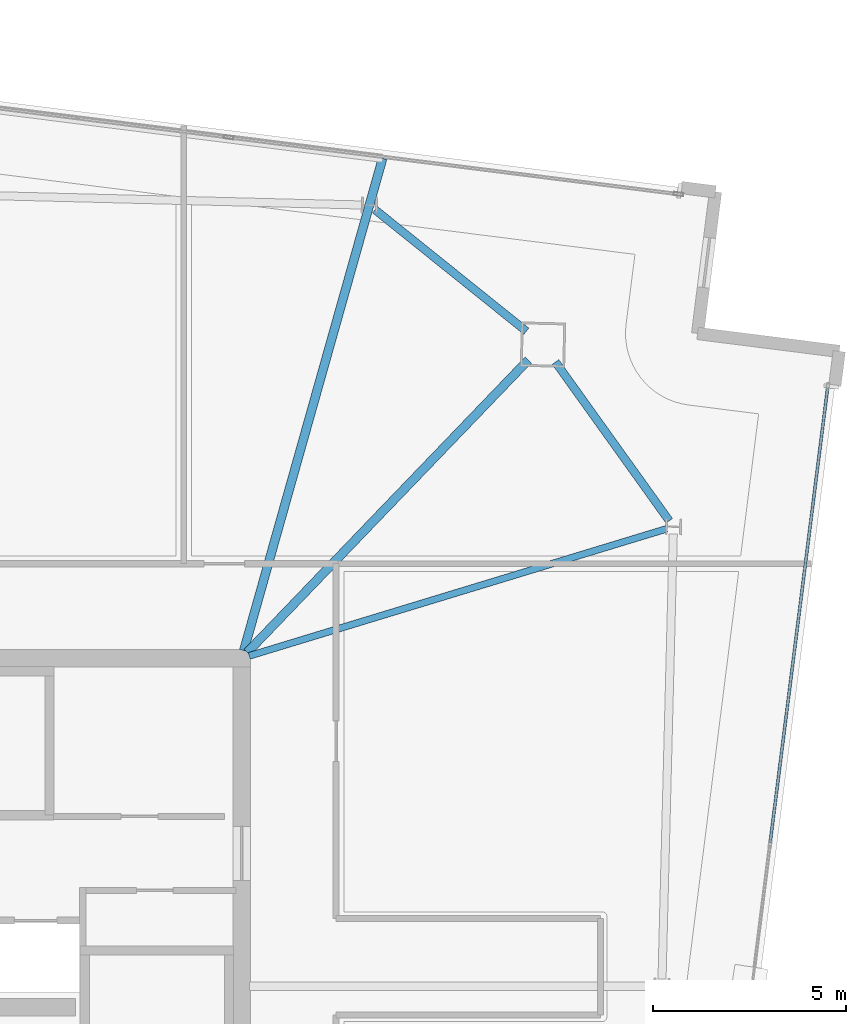
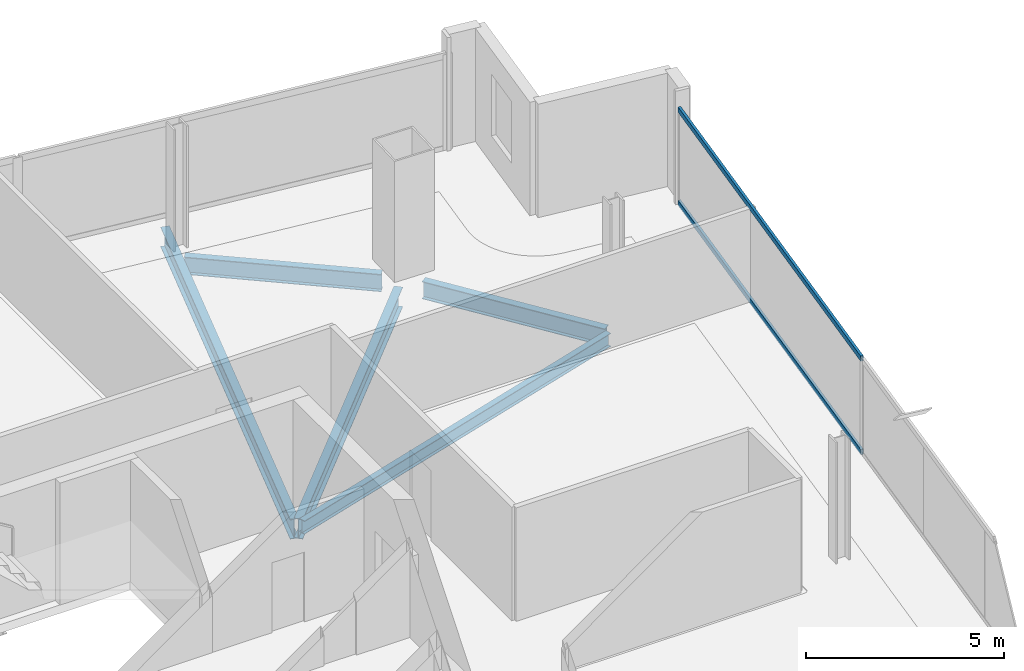
# One storey, part 15 of 23: 5 beams, 2 members, 1 element without a shape of its own.
"""IFC4 building model written with IfcOpenShell, lengths in metres."""

from ifc_helpers import new_model, si_unit, direction, frame, origin, origin_2d, place, context, subcontext, project, spatial, hollow_rectangle, i_section, extrude, material, material_profile, profile_set, type_object, element, aggregate, save


model = new_model("IFC4")

# Units and contexts
model_context = context("Model", 3, precision=1e-05, world=origin(), true_north=direction((0.0, 1.0)))
body_context = subcontext(model_context, "Body", "Model", "MODEL_VIEW")
ifc_project = project(units=[si_unit("LENGTHUNIT", "METRE"), si_unit("AREAUNIT", "SQUARE_METRE"), si_unit("VOLUMEUNIT", "CUBIC_METRE"), si_unit("PLANEANGLEUNIT", "RADIAN"), si_unit("MASSUNIT", "GRAM", prefix="KILO")], contexts=[model_context])

# Site, building, storey
site_placement = place(None, origin())
site = spatial("IfcSite", under=ifc_project, at=site_placement, CompositionType="ELEMENT")
building_placement = place(site_placement, origin())
building = spatial("IfcBuilding", under=site, at=building_placement, Name="Haldenkirk Collegiate Tower", CompositionType="ELEMENT")
storey_placement = place(building_placement, frame((0.0, 0.0, 306.449951171875)))
storey = spatial("IfcBuildingStorey", under=building, at=storey_placement, Name="L77", CompositionType="ELEMENT", Elevation=306.449951171875)

# Beams
ifc_material_1 = material(Name="Steel ASTM A992 Grade 50", Category="steel")
ifc_material_profile_1 = material_profile(ifc_material_1, i_section(OverallWidth=0.22998046875, OverallDepth=0.616943359375, WebThickness=0.01318359375, FlangeThickness=0.022216796875, at=origin_2d()), Name="W24X94")
ifc_profile_set_1 = profile_set([ifc_material_profile_1], Name="Steel ASTM A992 Grade 50")
beam_type_1 = type_object("IfcBeamType", Name="BM-GIRDER-W24X94", PredefinedType="BEAM", material=ifc_profile_set_1)
beam_1_placement = place(storey_placement, frame((52.428955078125, 41.7294921875, -0.568359375), z_axis=(-0.692944915375, -0.720990529935, 0.0), x_axis=(0.720990529935, -0.692944915375, 0.0)))
element("IfcBeam", 1, at=beam_1_placement, inside=storey, type_object=beam_type_1, Name="L77 primary floor girder 02", PredefinedType="BEAM", context=body_context, shape_type="SweptSolid", body=[
    extrude(i_section(OverallWidth=0.22998046875, OverallDepth=0.616943359375, WebThickness=0.01318359375, FlangeThickness=0.022216796875, at=origin_2d()), origin(), (0.0, 0.0, 1.0), 10.515869140625),
])
beam_2_placement = place(storey_placement, frame((48.654052734375, 46.959228515625, -0.568359375), z_axis=(-0.271380571332, -0.962472121936, 0.0), x_axis=(0.962472121936, -0.271380571332, 0.0)))
element("IfcBeam", 2, at=beam_2_placement, inside=storey, type_object=beam_type_1, Name="L77 primary floor girder 08", PredefinedType="BEAM", context=body_context, shape_type="SweptSolid", body=[
    extrude(i_section(OverallWidth=0.22998046875, OverallDepth=0.616943359375, WebThickness=0.01318359375, FlangeThickness=0.022216796875, at=origin_2d()), origin(), (0.0, 0.0, 1.0), 13.259521484375),
])
ifc_material_profile_2 = material_profile(ifc_material_1, i_section(OverallWidth=0.177978515625, OverallDepth=0.406005859375, WebThickness=0.0078125, FlangeThickness=0.0126953125, at=origin_2d()), Name="W16X40")
ifc_profile_set_2 = profile_set([ifc_material_profile_2], Name="Steel ASTM A992 Grade 50")
beam_type_2 = type_object("IfcBeamType", Name="BM-JOIST-W16X40", PredefinedType="JOIST", material=ifc_profile_set_2)
beam_3_placement = place(storey_placement, frame((56.015380859375, 37.353759765625, -0.462890625), z_axis=(-0.956646687175, -0.291250950071, 0.0), x_axis=(0.291250950071, -0.956646687175, 0.0)))
element("IfcBeam", 3, at=beam_3_placement, inside=storey, type_object=beam_type_2, Name="L77 composite floor joist 07", PredefinedType="JOIST", context=body_context, shape_type="SweptSolid", body=[
    extrude(i_section(OverallWidth=0.177978515625, OverallDepth=0.406005859375, WebThickness=0.0078125, FlangeThickness=0.0126953125, at=origin_2d()), origin(), (0.0, 0.0, 1.0), 11.3095703125),
])
ifc_material_profile_3 = material_profile(ifc_material_1, i_section(OverallWidth=0.2099609375, OverallDepth=0.537109375, WebThickness=0.010986328125, FlangeThickness=0.017333984375, at=origin_2d()), Name="W21X68")
ifc_profile_set_3 = profile_set([ifc_material_profile_3], Name="Steel ASTM A992 Grade 50")
beam_type_3 = type_object("IfcBeamType", Name="BM-SPANDREL-W21X68", PredefinedType="SPANDREL", material=ifc_profile_set_3)
beam_4_placement = place(storey_placement, frame((56.085693359375, 37.561279296875, -0.528564453125), z_axis=(-0.582300220922, 0.812973832737, 0.0), x_axis=(-0.812973832737, -0.582300220922, 0.0)))
element("IfcBeam", 4, at=beam_4_placement, inside=storey, type_object=beam_type_3, Name="L77 perimeter spandrel beam 04", PredefinedType="SPANDREL", context=body_context, shape_type="SweptSolid", body=[
    extrude(i_section(OverallWidth=0.2099609375, OverallDepth=0.537109375, WebThickness=0.010986328125, FlangeThickness=0.017333984375, at=origin_2d()), origin(), (0.0, 0.0, 1.0), 5.064453125),
])
beam_5_placement = place(storey_placement, frame((52.380859375, 42.477294921875, -0.528564453125), z_axis=(-0.779721728928, 0.626126205678, 0.0), x_axis=(-0.626126205678, -0.779721728928, 0.0)))
element("IfcBeam", 5, at=beam_5_placement, inside=storey, type_object=beam_type_3, Name="L77 perimeter spandrel beam 05", PredefinedType="SPANDREL", context=body_context, shape_type="SweptSolid", body=[
    extrude(i_section(OverallWidth=0.2099609375, OverallDepth=0.537109375, WebThickness=0.010986328125, FlangeThickness=0.017333984375, at=origin_2d()), origin(), (0.0, 0.0, 1.0), 5.03076171875),
])

# Curtain wall, members
ifc_material_2 = material(Name="Anodised architectural bronze aluminium", Category="aluminium")
curtain_wall_type = type_object("IfcCurtainWallType", Name="CW-SYS2-CONCAVE", PredefinedType="USERDEFINED", material=ifc_material_2)
curtain_wall_placement = place(storey_placement, origin())
curtain_wall = element("IfcCurtainWall", 6, at=curtain_wall_placement, inside=storey, type_object=curtain_wall_type, Name="L77 South concave recessed bronze-anodised curtain wall", ObjectType="UNITISED CURTAIN WALL", PredefinedType="USERDEFINED")
ifc_material_profile_4 = material_profile(ifc_material_2, hollow_rectangle(XDim=0.074951171875, YDim=0.159912109375, WallThickness=0.0048828125, at=origin_2d()), Name="CW-TRN-02")
ifc_profile_set_4 = profile_set([ifc_material_profile_4], Name="Anodised architectural bronze aluminium")
member_type = type_object("IfcMemberType", Name="CW-TRN-02", PredefinedType="USERDEFINED", material=ifc_profile_set_4)
member_1_placement = place(storey_placement, frame((60.192138671875, 41.01123046875, 0.03759765625), z_axis=(-0.125321240238, -0.99211621635, 0.0), x_axis=(0.99211621635, -0.125321240238, 0.0)))
member_1 = element("IfcMember", 7, at=member_1_placement, type_object=member_type, Name="CW-02 transom 1.1", ObjectType="TRANSOM", PredefinedType="USERDEFINED", context=body_context, shape_type="SweptSolid", body=[
    extrude(hollow_rectangle(XDim=0.074951171875, YDim=0.159912109375, WallThickness=0.0048828125, at=origin_2d()), origin(), (0.0, 0.0, 1.0), 11.887451171875),
])
member_2_placement = place(storey_placement, frame((60.192138671875, 41.01123046875, 2.91064453125), z_axis=(-0.125321240238, -0.99211621635, 0.0), x_axis=(0.99211621635, -0.125321240238, 0.0)))
member_2 = element("IfcMember", 8, at=member_2_placement, type_object=member_type, Name="CW-02 transom 1.2", ObjectType="TRANSOM", PredefinedType="USERDEFINED", context=body_context, shape_type="SweptSolid", body=[
    extrude(hollow_rectangle(XDim=0.074951171875, YDim=0.159912109375, WallThickness=0.0048828125, at=origin_2d()), origin(), (0.0, 0.0, 1.0), 11.887451171875),
])
aggregate(curtain_wall, [member_1, member_2])

save(model, "model.ifc")
